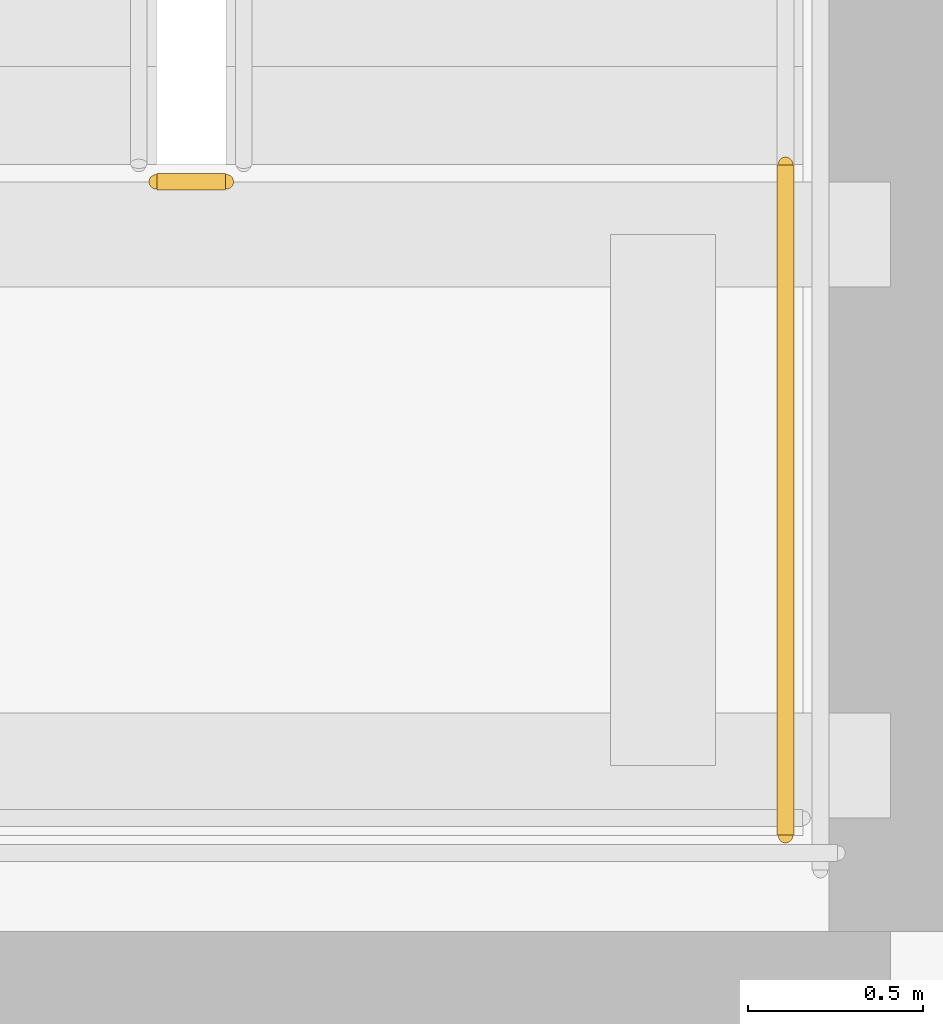
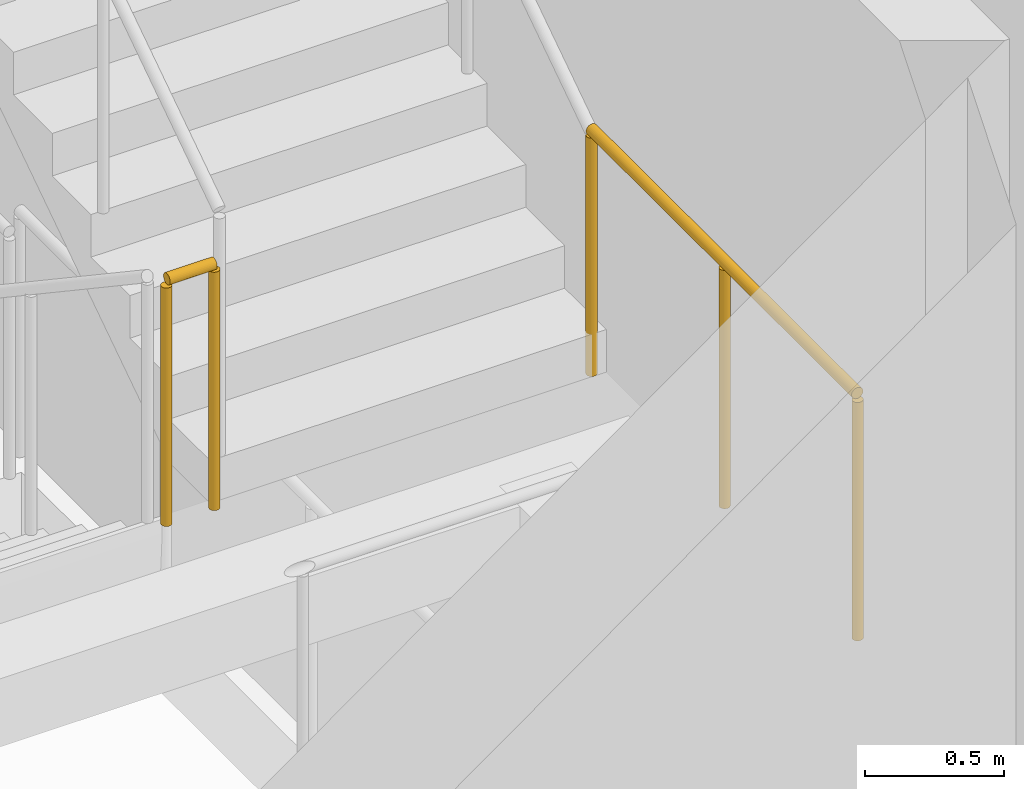
# One storey, part 7 of 10: 2 railings.
"""IFC4 building model written with IfcOpenShell, lengths in metres."""

from ifc_helpers import new_model, si_unit, direction, frame, origin, origin_2d, place, context, subcontext, project, spatial, circle, extrude, material, type_object, element, save


model = new_model("IFC4")

# Units and contexts
model_context = context("Model", 3, precision=1e-05, world=origin(), true_north=direction((0.0, 1.0)))
body_context = subcontext(model_context, "Body", "Model", "MODEL_VIEW")
ifc_project = project(units=[si_unit("LENGTHUNIT", "METRE"), si_unit("AREAUNIT", "SQUARE_METRE"), si_unit("VOLUMEUNIT", "CUBIC_METRE"), si_unit("PLANEANGLEUNIT", "RADIAN"), si_unit("MASSUNIT", "GRAM", prefix="KILO")], contexts=[model_context])

# Site, building, storey
site_placement = place(None, origin())
site = spatial("IfcSite", under=ifc_project, at=site_placement, CompositionType="ELEMENT")
building_placement = place(site_placement, origin())
building = spatial("IfcBuilding", under=site, at=building_placement, Name="Serunith Strait Residences", CompositionType="ELEMENT")
storey_placement = place(building_placement, frame((0.0, 0.0, 359.75)))
storey = spatial("IfcBuildingStorey", under=building, at=storey_placement, Name="L88", CompositionType="ELEMENT", Elevation=359.75)

# Railings
ifc_material = material(Name="Brushed stainless steel 316L", Category="steel")
railing_type = type_object("IfcRailingType", Name="RLG-STAIR-GUARD", PredefinedType="BALUSTRADE", material=ifc_material)
railing_1_placement = place(storey_placement, frame((39.300048828125, 19.1201171875, 3.0)))
element("IfcRailing", 1, at=railing_1_placement, inside=storey, type_object=railing_type, Name="L88 ST-2 stair guard 2", PredefinedType="BALUSTRADE", context=body_context, shape_type="SweptSolid", body=[
    extrude(circle(Radius=0.02392578125, at=origin_2d()), frame((0.001953125, 0.0, 1.076171875), z_axis=(1.0, 0.0, 0.0), x_axis=(0.0, 1.0, 0.0)), (0.0, 0.0, 1.0), 0.196044921875),
    extrude(circle(Radius=0.02099609375, at=origin_2d()), origin(), (0.0, 0.0, 1.0), 1.050048828125),
    extrude(circle(Radius=0.02099609375, at=origin_2d()), frame((0.199951171875, 0.0, 0.0)), (0.0, 0.0, 1.0), 1.050048828125),
])
railing_2_placement = place(storey_placement, frame((41.10009765625, 19.169921875, 3.0)))
element("IfcRailing", 2, at=railing_2_placement, inside=storey, type_object=railing_type, Name="L88 ST-2 stair guard 4", PredefinedType="BALUSTRADE", context=body_context, shape_type="SweptSolid", body=[
    extrude(circle(Radius=0.02392578125, at=origin_2d()), frame((0.0, -0.001953125, 1.076171875), z_axis=(0.0, -1.0, 0.0), x_axis=(1.0, 0.0, 0.0)), (0.0, 0.0, 1.0), 1.916015625),
    extrude(circle(Radius=0.02099609375, at=origin_2d()), origin(), (0.0, 0.0, 1.0), 1.050048828125),
    extrude(circle(Radius=0.02099609375, at=origin_2d()), frame((0.0, -0.9599609375, 0.0)), (0.0, 0.0, 1.0), 1.050048828125),
    extrude(circle(Radius=0.02099609375, at=origin_2d()), frame((0.0, -1.919921875, 0.0)), (0.0, 0.0, 1.0), 1.050048828125),
])

save(model, "model.ifc")
